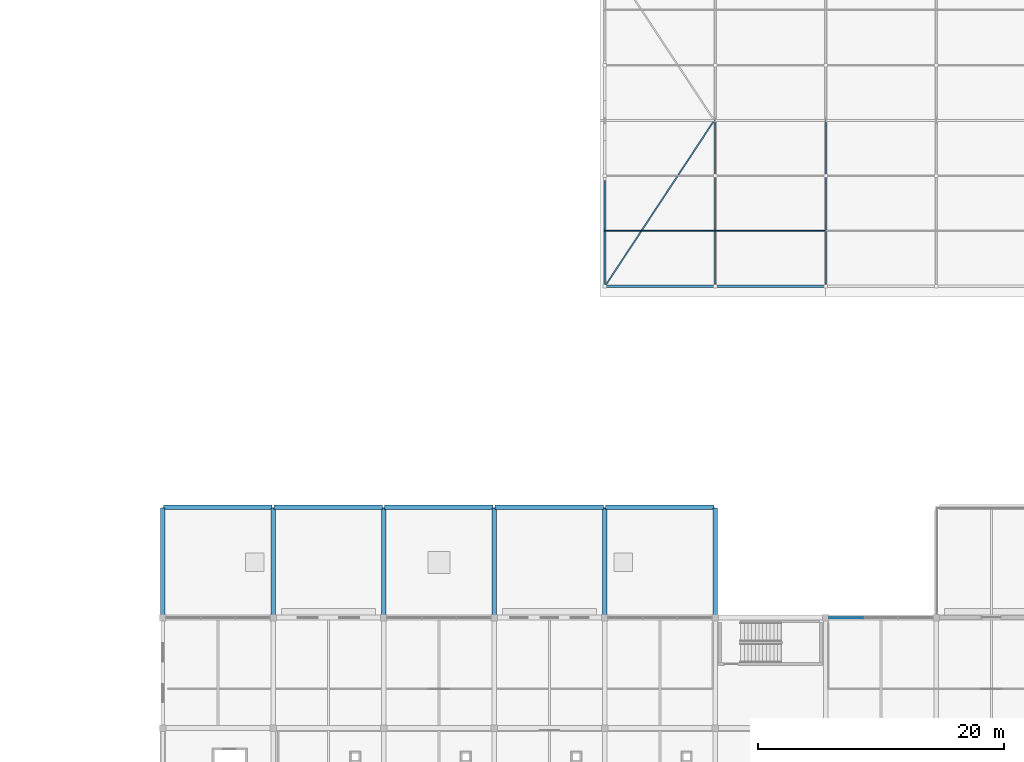
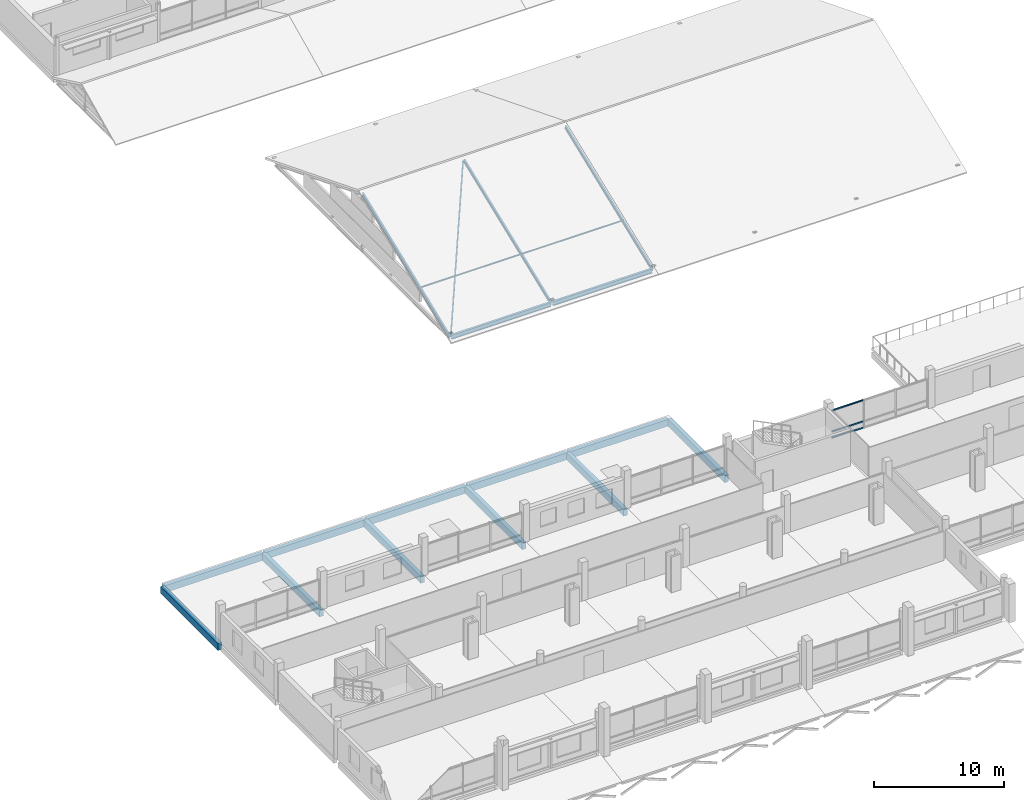
# One storey, part 60 of 132: 13 beams, 9 members, 1 element without a shape of its own.
"""IFC4 building model written with IfcOpenShell, lengths in metres."""

from ifc_helpers import new_model, si_unit, direction, frame, origin, origin_2d, place, context, subcontext, project, spatial, rectangle, i_section, extrude, material, material_profile, profile_set, type_object, element, aggregate, save


model = new_model("IFC4")

# Units and contexts
model_context = context("Model", 3, precision=1e-05, world=origin(), true_north=direction((0.0, 1.0)))
body_context = subcontext(model_context, "Body", "Model", "MODEL_VIEW")
ifc_project = project(units=[si_unit("LENGTHUNIT", "METRE"), si_unit("AREAUNIT", "SQUARE_METRE"), si_unit("VOLUMEUNIT", "CUBIC_METRE"), si_unit("PLANEANGLEUNIT", "RADIAN"), si_unit("MASSUNIT", "GRAM", prefix="KILO")], contexts=[model_context])

# Site, building, storey
site_placement = place(None, origin())
site = spatial("IfcSite", under=ifc_project, at=site_placement, CompositionType="ELEMENT")
building_placement = place(site_placement, origin())
building = spatial("IfcBuilding", under=site, at=building_placement, Name="Tharagai Park Tramway Depot", CompositionType="ELEMENT")
storey_placement = place(building_placement, frame((0.0, 0.0, 4.800048828125)))
storey = spatial("IfcBuildingStorey", under=building, at=storey_placement, Name="L01", CompositionType="ELEMENT", Elevation=4.800048828125)

# Beams
ifc_material_1 = material(Name="Steel E350", Category="steel")
ifc_material_profile_1 = material_profile(ifc_material_1, i_section(OverallWidth=0.199951171875, OverallDepth=0.39990234375, WebThickness=0.008544921875, FlangeThickness=0.012939453125, FilletRadius=0.013916015625, at=origin_2d()), Name="ISWB 400")
ifc_profile_set_1 = profile_set([ifc_material_profile_1], Name="Steel E350")
beam_type_1 = type_object("IfcBeamType", Name="BM-05", PredefinedType="BEAM", material=ifc_profile_set_1)
for number, where, z_axis, x_axis, name in (
    (1, (171.080078125, 54.0, -0.449951171875), (1.0, 0.0, 0.0), (0.0, 1.0, 0.0), "V6 Roof Eave Girder BM-05"),
    (2, (180.080078125, 54.0, -0.449951171875), (1.0, 0.0, 0.0), (0.0, 1.0, 0.0), "V6 Roof Eave Girder BM-05"),
):
    element("IfcBeam", number, at=place(storey_placement, frame(where, z_axis=z_axis, x_axis=x_axis)), inside=storey, type_object=beam_type_1, Name=name, PredefinedType="BEAM", context=body_context, shape_type="SweptSolid", body=[
        extrude(i_section(OverallWidth=0.199951171875, OverallDepth=0.39990234375, WebThickness=0.008544921875, FlangeThickness=0.012939453125, FilletRadius=0.013916015625, at=origin_2d()), origin(), (0.0, 0.0, 1.0), 8.83984375),
    ])
ifc_material_2 = material(Name="Concrete M35", Category="concrete")
ifc_material_profile_2 = material_profile(ifc_material_2, rectangle(XDim=0.35009765625, YDim=0.64990234375, at=origin_2d()), Name="RC 350x650")
ifc_profile_set_2 = profile_set([ifc_material_profile_2], Name="Concrete M35")
beam_type_2 = type_object("IfcBeamType", Name="BM-13", PredefinedType="BEAM", material=ifc_profile_set_2)
for number, where, z_axis, x_axis, name in (
    (3, (135.0, 27.080078125, -0.56494140625), (0.0, 1.0, 0.0), (-1.0, 0.0, 0.0), "L01 Roof Support Beam BM-13"),
    (4, (144.0, 27.080078125, -0.56494140625), (0.0, 1.0, 0.0), (-1.0, 0.0, 0.0), "L01 Roof Support Beam BM-13"),
    (5, (153.0, 27.080078125, -0.56494140625), (0.0, 1.0, 0.0), (-1.0, 0.0, 0.0), "L01 Roof Support Beam BM-13"),
    (6, (162.0, 27.080078125, -0.56494140625), (0.0, 1.0, 0.0), (-1.0, 0.0, 0.0), "L01 Roof Support Beam BM-13"),
    (7, (171.0, 27.080078125, -0.56494140625), (0.0, 1.0, 0.0), (-1.0, 0.0, 0.0), "L01 Roof Support Beam BM-13"),
    (8, (180.0, 27.080078125, -0.56494140625), (0.0, 1.0, 0.0), (-1.0, 0.0, 0.0), "L01 Roof Support Beam BM-13"),
    (9, (135.080078125, 36.0, -0.56494140625), (1.0, 0.0, 0.0), (0.0, 1.0, 0.0), "L01 Roof Support Beam BM-13"),
    (10, (144.080078125, 36.0, -0.56494140625), (1.0, 0.0, 0.0), (0.0, 1.0, 0.0), "L01 Roof Support Beam BM-13"),
    (11, (153.080078125, 36.0, -0.56494140625), (1.0, 0.0, 0.0), (0.0, 1.0, 0.0), "L01 Roof Support Beam BM-13"),
    (12, (162.080078125, 36.0, -0.56494140625), (1.0, 0.0, 0.0), (0.0, 1.0, 0.0), "L01 Roof Support Beam BM-13"),
    (13, (171.080078125, 36.0, -0.56494140625), (1.0, 0.0, 0.0), (0.0, 1.0, 0.0), "L01 Roof Support Beam BM-13"),
):
    element("IfcBeam", number, at=place(storey_placement, frame(where, z_axis=z_axis, x_axis=x_axis)), inside=storey, type_object=beam_type_2, Name=name, PredefinedType="BEAM", context=body_context, shape_type="SweptSolid", body=[
        extrude(rectangle(XDim=0.35009765625, YDim=0.64990234375, at=origin_2d()), origin(), (0.0, 0.0, 1.0), 8.83984375),
    ])

# Member
ifc_material_profile_3 = material_profile(ifc_material_1, i_section(OverallWidth=0.110107421875, OverallDepth=0.22509765625, WebThickness=0.006591796875, FlangeThickness=0.01171875, FilletRadius=0.011962890625, at=origin_2d()), Name="ISMB 225")
ifc_profile_set_3 = profile_set([ifc_material_profile_3], Name="Steel E350")
member_type_1 = type_object("IfcMemberType", Name="BR-04", PredefinedType="BRACE", material=ifc_profile_set_3)
member_1_placement = place(storey_placement, frame((171.080078125, 54.080078125, -0.449951171875), z_axis=(0.522990191208, 0.793960584134, 0.310012662227), x_axis=(-0.83510413753, 0.550091882762, 0.0)))
element("IfcMember", 14, at=member_1_placement, inside=storey, type_object=member_type_1, Name="V6 Roof Wind Brace BR-04", PredefinedType="BRACE", context=body_context, shape_type="SweptSolid", body=[
    extrude(i_section(OverallWidth=0.110107421875, OverallDepth=0.22509765625, WebThickness=0.006591796875, FlangeThickness=0.01171875, FilletRadius=0.011962890625, at=origin_2d()), origin(), (0.0, 0.0, 1.0), 16.902587890625),
])

# Curtain wall, members
ifc_material_3 = material(Name="Anodised aluminium", Category="aluminium")
curtain_wall_type = type_object("IfcCurtainWallType", Name="CW-06", PredefinedType="NOTDEFINED", material=ifc_material_3)
curtain_wall_placement = place(storey_placement, origin())
curtain_wall = element("IfcCurtainWall", 15, at=curtain_wall_placement, inside=storey, type_object=curtain_wall_type, Name="L01 V5 Gothic Mullioned Curtain Wall CW-06", PredefinedType="NOTDEFINED")
ifc_material_profile_4 = material_profile(ifc_material_3, rectangle(XDim=0.06494140625, YDim=0.1201171875, at=origin_2d()), Name="ALU 65x120")
ifc_profile_set_4 = profile_set([ifc_material_profile_4], Name="Anodised aluminium")
member_type_2 = type_object("IfcMemberType", Name="CM-01", PredefinedType="USERDEFINED", material=ifc_profile_set_4)
member_2_placement = place(storey_placement, frame((189.280029296875, 27.0, 0.06005859375), z_axis=(1.0, 0.0, 0.0), x_axis=(0.0, 1.0, 0.0)))
member_2 = element("IfcMember", 16, at=member_2_placement, type_object=member_type_2, Name="L01 V5 Gothic Mullioned Curtain Wall Transom 1.1", ObjectType="TRANSOM", PredefinedType="USERDEFINED", context=body_context, shape_type="SweptSolid", body=[
    extrude(rectangle(XDim=0.06494140625, YDim=0.1201171875, at=origin_2d()), origin(), (0.0, 0.0, 1.0), 2.793212890625),
])
member_3_placement = place(storey_placement, frame((189.280029296875, 27.0, 0.64990234375), z_axis=(1.0, 0.0, 0.0), x_axis=(0.0, 1.0, 0.0)))
member_3 = element("IfcMember", 17, at=member_3_placement, type_object=member_type_2, Name="L01 V5 Gothic Mullioned Curtain Wall Transom 1.2", ObjectType="TRANSOM", PredefinedType="USERDEFINED", context=body_context, shape_type="SweptSolid", body=[
    extrude(rectangle(XDim=0.06494140625, YDim=0.1201171875, at=origin_2d()), origin(), (0.0, 0.0, 1.0), 2.793212890625),
])
member_4_placement = place(storey_placement, frame((189.280029296875, 27.0, 2.6298828125), z_axis=(1.0, 0.0, 0.0), x_axis=(0.0, 1.0, 0.0)))
member_4 = element("IfcMember", 18, at=member_4_placement, type_object=member_type_2, Name="L01 V5 Gothic Mullioned Curtain Wall Transom 1.3", ObjectType="TRANSOM", PredefinedType="USERDEFINED", context=body_context, shape_type="SweptSolid", body=[
    extrude(rectangle(XDim=0.06494140625, YDim=0.1201171875, at=origin_2d()), origin(), (0.0, 0.0, 1.0), 2.793212890625),
])
aggregate(curtain_wall, [member_2, member_3, member_4])

# Members
ifc_material_4 = material(Name="Steel E250", Category="steel")
ifc_material_profile_5 = material_profile(ifc_material_4, i_section(OverallWidth=0.070068359375, OverallDepth=0.125, WebThickness=0.00439453125, FlangeThickness=0.007080078125, FilletRadius=0.008056640625, at=origin_2d()), Name="ISMB 125")
ifc_profile_set_5 = profile_set([ifc_material_profile_5], Name="Steel E250")
member_type_3 = type_object("IfcMemberType", Name="PR-06", PredefinedType="PURLIN", material=ifc_profile_set_5)
for number, where, z_axis, x_axis, name in (
    (19, (171.02001953125, 58.5, 1.512451171875), (1.0, 0.0, 0.0), (0.0, 1.0, 0.0), "V6 Roof Purlin PR-06"),
    (20, (180.02001953125, 58.5, 1.512451171875), (1.0, 0.0, 0.0), (0.0, 1.0, 0.0), "V6 Roof Purlin PR-06"),
):
    element("IfcMember", number, at=place(storey_placement, frame(where, z_axis=z_axis, x_axis=x_axis)), inside=storey, type_object=member_type_3, Name=name, PredefinedType="PURLIN", context=body_context, shape_type="SweptSolid", body=[
        extrude(i_section(OverallWidth=0.070068359375, OverallDepth=0.125, WebThickness=0.00439453125, FlangeThickness=0.007080078125, FilletRadius=0.008056640625, at=origin_2d()), origin(), (0.0, 0.0, 1.0), 8.9599609375),
    ])
ifc_material_profile_6 = material_profile(ifc_material_1, i_section(OverallWidth=0.139892578125, OverallDepth=0.300048828125, WebThickness=0.0078125, FlangeThickness=0.01318359375, FilletRadius=0.013916015625, at=origin_2d()), Name="ISMB 300")
ifc_profile_set_6 = profile_set([ifc_material_profile_6], Name="Steel E350")
member_type_4 = type_object("IfcMemberType", Name="RF-02", PredefinedType="RAFTER", material=ifc_profile_set_6)
for number, where, z_axis, x_axis, name in (
    (21, (171.0, 54.050048828125, -0.477783203125), (0.0, 0.929950116334, 0.367685709717), (-1.0, 0.0, 0.0), "V6 Pitched Rafter RF-02 South"),
    (22, (180.0, 54.050048828125, -0.477783203125), (0.0, 0.929950116334, 0.367685709717), (-1.0, 0.0, 0.0), "V6 Pitched Rafter RF-02 South"),
    (23, (189.0, 54.050048828125, -0.477783203125), (0.0, 0.929950116334, 0.367685709717), (-1.0, 0.0, 0.0), "V6 Pitched Rafter RF-02 South"),
):
    element("IfcMember", number, at=place(storey_placement, frame(where, z_axis=z_axis, x_axis=x_axis)), inside=storey, type_object=member_type_4, Name=name, PredefinedType="RAFTER", context=body_context, shape_type="SweptSolid", body=[
        extrude(i_section(OverallWidth=0.139892578125, OverallDepth=0.300048828125, WebThickness=0.0078125, FlangeThickness=0.01318359375, FilletRadius=0.013916015625, at=origin_2d()), origin(), (0.0, 0.0, 1.0), 14.463134765625),
    ])

save(model, "model.ifc")
